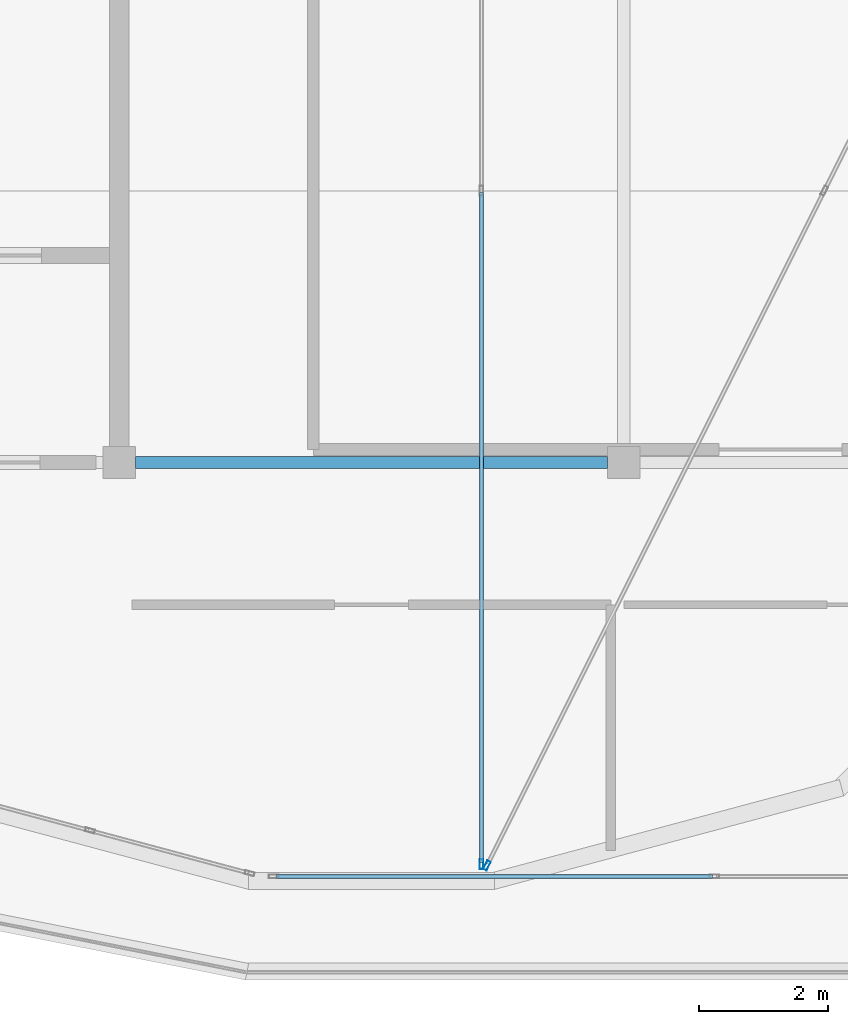
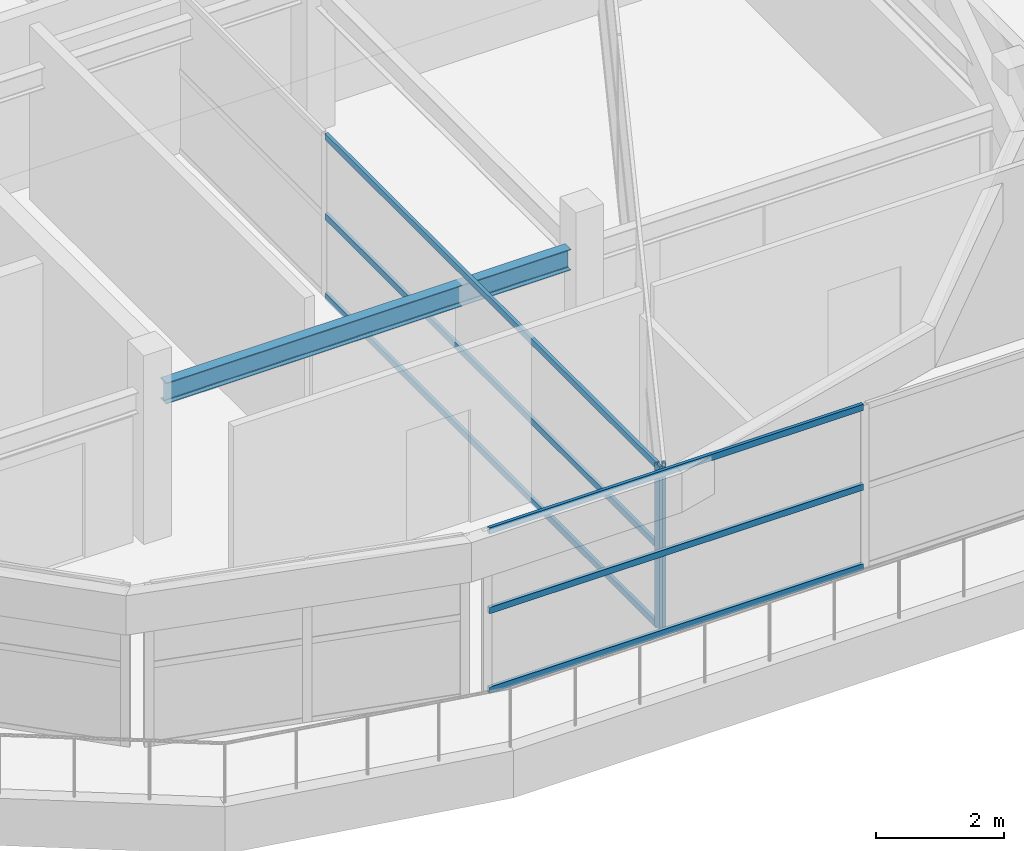
# One storey, part 3 of 15: 8 members, 1 beam, 3 elements without a shape of their own.
"""IFC4 building model written with IfcOpenShell, lengths in metres."""

from ifc_helpers import new_model, si_unit, direction, frame, origin, origin_2d, place, context, subcontext, project, spatial, hollow_rectangle, i_section, extrude, material, layer, layer_set, material_profile, profile_set, type_object, element, aggregate, save


model = new_model("IFC4")

# Units and contexts
model_context = context("Model", 3, precision=1e-05, world=origin(), true_north=direction((0.0, 1.0)))
body_context = subcontext(model_context, "Body", "Model", "MODEL_VIEW")
ifc_project = project(units=[si_unit("LENGTHUNIT", "METRE"), si_unit("AREAUNIT", "SQUARE_METRE"), si_unit("VOLUMEUNIT", "CUBIC_METRE"), si_unit("PLANEANGLEUNIT", "RADIAN"), si_unit("MASSUNIT", "GRAM", prefix="KILO")], contexts=[model_context])

# Site, building, storey
site_placement = place(None, origin())
site = spatial("IfcSite", under=ifc_project, at=site_placement, CompositionType="ELEMENT")
building_placement = place(site_placement, origin())
building = spatial("IfcBuilding", under=site, at=building_placement, Name="Zizhar Promenade General Hospital", CompositionType="ELEMENT")
storey_placement = place(building_placement, frame((0.0, 0.0, 43.199951171875)))
storey = spatial("IfcBuildingStorey", under=building, at=storey_placement, Name="Roof", CompositionType="ELEMENT", Elevation=43.199951171875)

# Beam
ifc_material_1 = material(Name="Steel S355", Category="steel")
ifc_material_profile_1 = material_profile(ifc_material_1, i_section(OverallWidth=0.179931640625, OverallDepth=0.39990234375, WebThickness=0.008544921875, FlangeThickness=0.013427734375, FilletRadius=0.02099609375, at=origin_2d()))
ifc_profile_set_1 = profile_set([ifc_material_profile_1], Name="Steel S355")
beam_type = type_object("IfcBeamType", Name="BM-STL-IPE400", PredefinedType="JOIST", material=ifc_profile_set_1)
beam_placement = place(storey_placement, frame((54.85009765625, 8.39990234375, 2.610107421875), z_axis=(1.0, 0.0, 0.0), x_axis=(0.0, 1.0, 0.0)))
element("IfcBeam", 1, at=beam_placement, inside=storey, type_object=beam_type, Name="Grid Beam X Roof (7-1)", PredefinedType="JOIST", context=body_context, shape_type="SweptSolid", body=[
    extrude(i_section(OverallWidth=0.179931640625, OverallDepth=0.39990234375, WebThickness=0.008544921875, FlangeThickness=0.013427734375, FilletRadius=0.02099609375, at=origin_2d()), origin(), (0.0, 0.0, 1.0), 7.2998046875),
])

# Curtain wall, member
ifc_material_2 = material(Name="Anodised aluminium 6063-T6 and low-E glass", Category="aluminium")
ifc_layer = layer(ifc_material_2, 0.159912109375)
ifc_layer_set = layer_set([ifc_layer], Name="Anodised aluminium 6063-T6 and low-E glass")
curtain_wall_type = type_object("IfcCurtainWallType", Name="CW-WARD-ARC", PredefinedType="NOTDEFINED", material=ifc_layer_set)
curtain_wall_1_placement = place(storey_placement, origin())
curtain_wall_1 = element("IfcCurtainWall", 2, at=curtain_wall_1_placement, inside=storey, type_object=curtain_wall_type, Name="Rooftop Pillow Crown Glazing 02", PredefinedType="NOTDEFINED")
ifc_material_3 = material(Name="Anodised aluminium 6063-T6", Category="aluminium")
ifc_material_profile_2 = material_profile(ifc_material_3, hollow_rectangle(XDim=0.06005859375, YDim=0.14990234375, WallThickness=0.00390625, at=origin_2d()))
ifc_profile_set_2 = profile_set([ifc_material_profile_2], Name="Anodised aluminium 6063-T6")
member_type_1 = type_object("IfcMemberType", Name="CWM-ALU-150x60", PredefinedType="MULLION", material=ifc_profile_set_2)
member_1_placement = place(storey_placement, frame((60.284912109375, 2.169921875, 0.0), z_axis=(0.0, 0.0, 1.0), x_axis=(-0.894428901692, 0.447210174098, 0.0)))
member_1 = element("IfcMember", 3, at=member_1_placement, type_object=member_type_1, Name="CW-12 mullion 1", PredefinedType="MULLION", context=body_context, shape_type="SweptSolid", body=[
    extrude(hollow_rectangle(XDim=0.06005859375, YDim=0.14990234375, WallThickness=0.00390625, at=origin_2d()), origin(), (0.0, 0.0, 1.0), 3.10009765625),
])
aggregate(curtain_wall_1, [member_1])

# Curtain wall, members
curtain_wall_2_placement = place(storey_placement, origin())
curtain_wall_2 = element("IfcCurtainWall", 4, at=curtain_wall_2_placement, inside=storey, type_object=curtain_wall_type, Name="Rooftop Pillow Crown Glazing 03", PredefinedType="NOTDEFINED")
member_2_placement = place(storey_placement, frame((60.199951171875, 2.18994140625, 0.0), z_axis=(0.0, 0.0, 1.0), x_axis=(1.0, 0.0, 0.0)))
member_2 = element("IfcMember", 5, at=member_2_placement, type_object=member_type_1, Name="CW-12 mullion 3", PredefinedType="MULLION", context=body_context, shape_type="SweptSolid", body=[
    extrude(hollow_rectangle(XDim=0.06005859375, YDim=0.14990234375, WallThickness=0.00390625, at=origin_2d()), origin(), (0.0, 0.0, 1.0), 3.10009765625),
])
ifc_material_4 = material(Name="Anodised aluminium 6063-T6", Category="aluminium")
ifc_material_profile_3 = material_profile(ifc_material_4, hollow_rectangle(XDim=0.06005859375, YDim=0.1201171875, WallThickness=0.00390625, at=origin_2d()))
ifc_profile_set_3 = profile_set([ifc_material_profile_3], Name="Anodised aluminium 6063-T6")
member_type_2 = type_object("IfcMemberType", Name="CWT-ALU-120x60", PredefinedType="USERDEFINED", material=ifc_profile_set_3)
member_3_placement = place(storey_placement, frame((60.199951171875, 12.570068359375, 0.030029296875), z_axis=(0.0, -1.0, 0.0), x_axis=(1.0, 0.0, 0.0)))
member_3 = element("IfcMember", 6, at=member_3_placement, type_object=member_type_2, Name="CW-12 transom 2.1", ObjectType="TRANSOM", PredefinedType="USERDEFINED", context=body_context, shape_type="SweptSolid", body=[
    extrude(hollow_rectangle(XDim=0.06005859375, YDim=0.1201171875, WallThickness=0.00390625, at=origin_2d()), origin(), (0.0, 0.0, 1.0), 10.35009765625),
])
member_4_placement = place(storey_placement, frame((60.199951171875, 12.570068359375, 1.550048828125), z_axis=(0.0, -1.0, 0.0), x_axis=(1.0, 0.0, 0.0)))
member_4 = element("IfcMember", 7, at=member_4_placement, type_object=member_type_2, Name="CW-12 transom 2.2", ObjectType="TRANSOM", PredefinedType="USERDEFINED", context=body_context, shape_type="SweptSolid", body=[
    extrude(hollow_rectangle(XDim=0.06005859375, YDim=0.1201171875, WallThickness=0.00390625, at=origin_2d()), origin(), (0.0, 0.0, 1.0), 10.35009765625),
])
member_5_placement = place(storey_placement, frame((60.199951171875, 12.570068359375, 3.070068359375), z_axis=(0.0, -1.0, 0.0), x_axis=(1.0, 0.0, 0.0)))
member_5 = element("IfcMember", 8, at=member_5_placement, type_object=member_type_2, Name="CW-12 transom 2.3", ObjectType="TRANSOM", PredefinedType="USERDEFINED", context=body_context, shape_type="SweptSolid", body=[
    extrude(hollow_rectangle(XDim=0.06005859375, YDim=0.1201171875, WallThickness=0.00390625, at=origin_2d()), origin(), (0.0, 0.0, 1.0), 10.35009765625),
])
aggregate(curtain_wall_2, [member_2, member_3, member_4, member_5])

curtain_wall_3_placement = place(storey_placement, origin())
curtain_wall_3 = element("IfcCurtainWall", 9, at=curtain_wall_3_placement, inside=storey, type_object=curtain_wall_type, Name="Rooftop Pillow Crown Glazing 11", PredefinedType="NOTDEFINED")
member_6_placement = place(storey_placement, frame((63.77001953125, 2.0, 0.030029296875), z_axis=(-1.0, 0.0, 0.0), x_axis=(0.0, -1.0, 0.0)))
member_6 = element("IfcMember", 10, at=member_6_placement, type_object=member_type_2, Name="CW-12 transom 2.1", ObjectType="TRANSOM", PredefinedType="USERDEFINED", context=body_context, shape_type="SweptSolid", body=[
    extrude(hollow_rectangle(XDim=0.06005859375, YDim=0.1201171875, WallThickness=0.00390625, at=origin_2d()), origin(), (0.0, 0.0, 1.0), 6.75),
])
member_7_placement = place(storey_placement, frame((63.77001953125, 2.0, 1.550048828125), z_axis=(-1.0, 0.0, 0.0), x_axis=(0.0, -1.0, 0.0)))
member_7 = element("IfcMember", 11, at=member_7_placement, type_object=member_type_2, Name="CW-12 transom 2.2", ObjectType="TRANSOM", PredefinedType="USERDEFINED", context=body_context, shape_type="SweptSolid", body=[
    extrude(hollow_rectangle(XDim=0.06005859375, YDim=0.1201171875, WallThickness=0.00390625, at=origin_2d()), origin(), (0.0, 0.0, 1.0), 6.75),
])
member_8_placement = place(storey_placement, frame((63.77001953125, 2.0, 3.070068359375), z_axis=(-1.0, 0.0, 0.0), x_axis=(0.0, -1.0, 0.0)))
member_8 = element("IfcMember", 12, at=member_8_placement, type_object=member_type_2, Name="CW-12 transom 2.3", ObjectType="TRANSOM", PredefinedType="USERDEFINED", context=body_context, shape_type="SweptSolid", body=[
    extrude(hollow_rectangle(XDim=0.06005859375, YDim=0.1201171875, WallThickness=0.00390625, at=origin_2d()), origin(), (0.0, 0.0, 1.0), 6.75),
])
aggregate(curtain_wall_3, [member_6, member_7, member_8])

save(model, "model.ifc")
